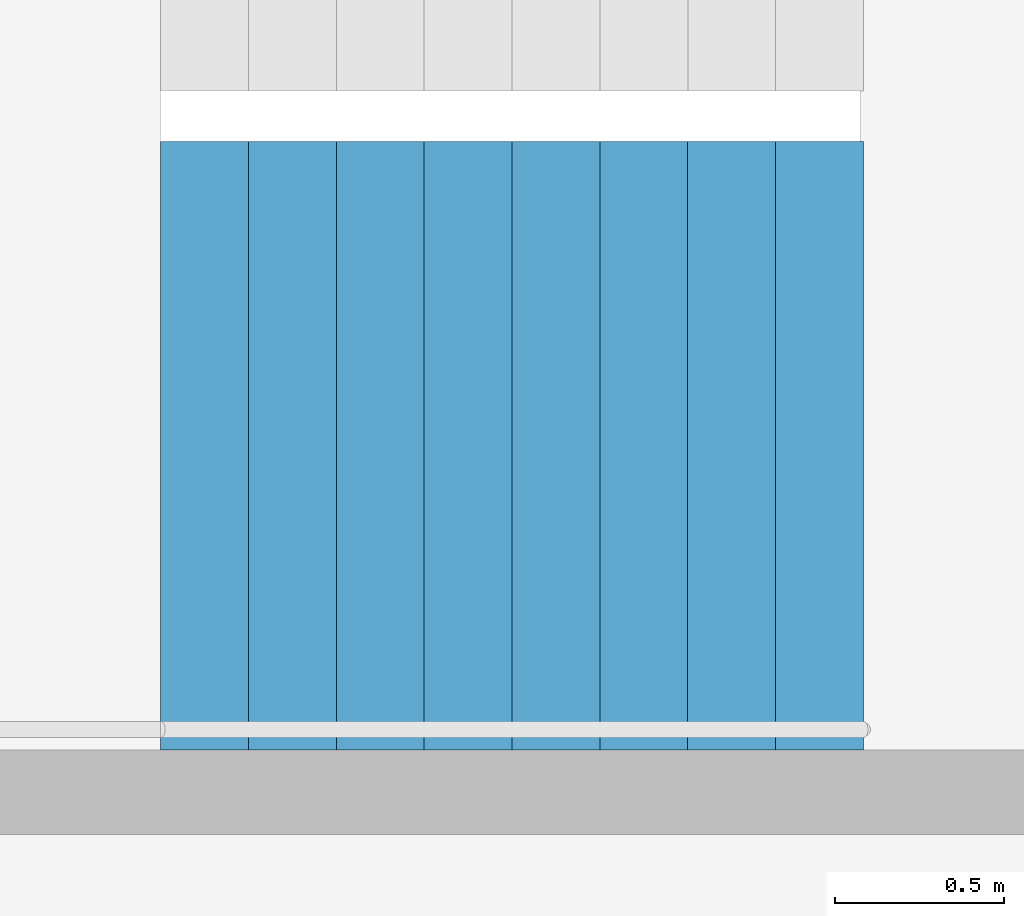
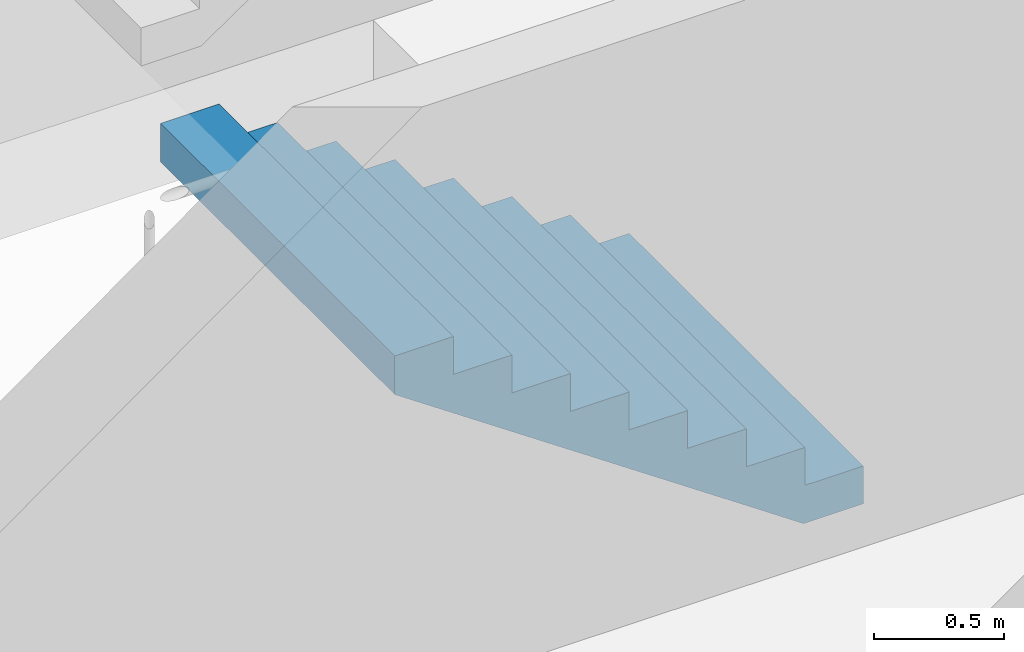
# One storey, part 24 of 26: 1 stair flight, 1 element without a shape of its own.
"""IFC4 building model written with IfcOpenShell, lengths in metres."""

import ifcopenshell
import ifcopenshell.guid

model = None  # the IFC model being written
_history = None  # IfcOwnerHistory: only IFC2X3 demands one
_inside = {}  # id of a spatial element -> (the spatial element, [elements in it])
_under = {}  # id of a project, library or spatial element -> (it, [spatial elements below it])
_declared = {}  # id of a project -> (the project, [libraries it declares])
_typed = {}  # id of a type object -> (the type object, [elements of that type])
_made_of = {}  # id of a material, layer set ... -> (it, [elements and type objects made of it])


def new_model(schema):
    """Start an empty IFC model of exactly this schema.

    Asked for "IFC4X3", IfcOpenShell would pick the latest addendum, in which some entities
    have other attributes; the version numbers below select the first issue.
    IFC2X3 requires an IfcOwnerHistory on every rooted entity: one is made here for all.
    """
    global model, _history
    if schema == "IFC4X3":
        model = ifcopenshell.file(schema_version=(4, 3, 0, 0))
    else:
        model = ifcopenshell.file(schema=schema)
    _inside.clear()
    _under.clear()
    _declared.clear()
    _typed.clear()
    _made_of.clear()
    _history = None
    if model.schema == "IFC2X3":
        org = make("IfcOrganization", Name="unknown")
        user = make(
            "IfcPersonAndOrganization",
            ThePerson=make("IfcPerson", FamilyName="unknown"),
            TheOrganization=org,
        )
        app = make(
            "IfcApplication",
            ApplicationDeveloper=org,
            Version="unknown",
            ApplicationFullName="unknown",
            ApplicationIdentifier="unknown",
        )
        _history = make(
            "IfcOwnerHistory",
            OwningUser=user,
            OwningApplication=app,
            ChangeAction="ADDED",
            CreationDate=0,
        )
    return model


def make(cls, **values):
    """One entity of the class cls with the attributes given. An attribute that is None is left unset."""
    return model.create_entity(
        cls, **{name: value for name, value in values.items() if value is not None}
    )


def rooted(cls, **values):
    """An entity with a GlobalId (a new one), such as an element, a storey or a relation."""
    return make(cls, GlobalId=ifcopenshell.guid.new(), OwnerHistory=_history, **values)


def si_unit(unit_type, name, prefix=None):
    """IfcSIUnit, for example si_unit("LENGTHUNIT", "METRE", prefix="MILLI")."""
    return make("IfcSIUnit", UnitType=unit_type, Prefix=prefix, Name=name)


def assignment(units):
    """IfcUnitAssignment: the units of a project."""
    return None if units is None else make("IfcUnitAssignment", Units=units)


def point(xyz):
    """IfcCartesianPoint."""
    return None if xyz is None else make("IfcCartesianPoint", Coordinates=xyz)


def direction(xyz):
    """IfcDirection."""
    return None if xyz is None else make("IfcDirection", DirectionRatios=xyz)


def frame(location, z_axis=None, x_axis=None):
    """IfcAxis2Placement3D, a coordinate frame: its origin and axes. An axis left out is left unset."""
    return make(
        "IfcAxis2Placement3D",
        Location=point(location),
        Axis=direction(z_axis),
        RefDirection=direction(x_axis),
    )


def origin():
    """The frame at (0, 0, 0) with its axes left unset."""
    return frame((0.0, 0.0, 0.0))


def place(relative_to, where):
    """IfcLocalPlacement: puts the frame where relative to a parent placement (None: the world)."""
    return make(
        "IfcLocalPlacement", PlacementRelTo=relative_to, RelativePlacement=where
    )


def context(
    kind, dimensions, precision=None, world=None, true_north=None, identifier=None
):
    """IfcGeometricRepresentationContext, for example the 3D "Model" context."""
    return make(
        "IfcGeometricRepresentationContext",
        ContextIdentifier=identifier,
        ContextType=kind,
        CoordinateSpaceDimension=dimensions,
        Precision=precision,
        WorldCoordinateSystem=world,
        TrueNorth=true_north,
    )


def subcontext(parent, identifier, kind, view, scale=None):
    """IfcGeometricRepresentationSubContext, for example "Body" below "Model"."""
    return make(
        "IfcGeometricRepresentationSubContext",
        ContextIdentifier=identifier,
        ContextType=kind,
        ParentContext=parent,
        TargetScale=scale,
        TargetView=view,
    )


def project(units=None, contexts=None):
    """IfcProject with its units and contexts."""
    return rooted(
        "IfcProject",
        Name="project",
        RepresentationContexts=contexts,
        UnitsInContext=assignment(units),
    )


def spatial(cls, under=None, at=None, **own):
    """A site, building, storey or space (cls), placed at a placement, below another one or the project."""
    s = rooted(cls, ObjectPlacement=at, **own)
    if under is not None:
        _under.setdefault(under.id(), (under, []))[1].append(s)
    return s


def point_list(points):
    """IfcCartesianPointList2D or 3D."""
    cls = (
        "IfcCartesianPointList2D" if len(points[0]) == 2 else "IfcCartesianPointList3D"
    )
    return make(cls, CoordList=points)


def triangles(points, corners, closed=None, point_numbers=None):
    """IfcTriangulatedFaceSet: each triangle names its three corners, points numbered from 1."""
    return make(
        "IfcTriangulatedFaceSet",
        Coordinates=point_list(points),
        Closed=closed,
        CoordIndex=corners,
        PnIndex=point_numbers,
    )


def shape(context_of_items, identifier, shape_type, items):
    """IfcShapeRepresentation: the items that make up one representation, for example the "Body"."""
    return make(
        "IfcShapeRepresentation",
        ContextOfItems=context_of_items,
        RepresentationIdentifier=identifier,
        RepresentationType=shape_type,
        Items=items,
    )


def material(Name=None, Category=None):
    """IfcMaterial."""
    return make("IfcMaterial", Name=Name, Category=Category)


def made_of(thing, what):
    """Note that an element or type object is made of a material, layer set ...; save() writes the relation."""
    if what is not None:
        _made_of.setdefault(what.id(), (what, []))[1].append(thing)
    return thing


def type_object(cls, material=None, **own):
    """A type object (cls), such as IfcWallType, which elements share."""
    return made_of(rooted(cls, **own), material)


def element(
    cls,
    number,
    at=None,
    inside=None,
    cuts=None,
    type_object=None,
    material=None,
    context=None,
    identifier="Body",
    shape_type=None,
    held_by="IfcProductDefinitionShape",
    body=None,
    shapes=None,
    **own,
):
    """One element of the class cls, such as IfcWall. Its Tag is "e" and its number.

    at: its placement. inside: the storey or other place that contains it. cuts: it is an
    opening in that element (IfcRelVoidsElement). A single representation is given by context,
    identifier, shape_type and body (its items); several are given by shapes. held_by: the class
    of the entity that holds the representations. save() writes the other relations.
    """
    e = rooted(cls, Tag="e%d" % number, ObjectPlacement=at, **own)
    if body is not None:
        shapes = [shape(context, identifier, shape_type, body)]
    if shapes is not None:
        e.Representation = make(held_by, Representations=shapes)
    if inside is not None:
        _inside.setdefault(inside.id(), (inside, []))[1].append(e)
    if cuts is not None:
        rooted(
            "IfcRelVoidsElement", RelatingBuildingElement=cuts, RelatedOpeningElement=e
        )
    if type_object is not None:
        _typed.setdefault(type_object.id(), (type_object, []))[1].append(e)
    return made_of(e, material)


def aggregate(whole, parts):
    """IfcRelAggregates: a whole, such as a stair, and the parts it consists of."""
    return rooted("IfcRelAggregates", RelatingObject=whole, RelatedObjects=parts)


def save(model, path):
    """Write the relations noted so far, then the file.

    IfcRelAggregates (storeys below a building ...), IfcRelContainedInSpatialStructure (elements
    in a storey), IfcRelDefinesByType, IfcRelAssociatesMaterial and IfcRelDeclares: one each for
    every whole, place, type object, material and project.
    """
    for whole, parts in _under.values():
        aggregate(whole, parts)
    for where, things in _inside.values():
        rooted(
            "IfcRelContainedInSpatialStructure",
            RelatedElements=things,
            RelatingStructure=where,
        )
    for kind, things in _typed.values():
        rooted("IfcRelDefinesByType", RelatedObjects=things, RelatingType=kind)
    for what, things in _made_of.values():
        rooted("IfcRelAssociatesMaterial", RelatedObjects=things, RelatingMaterial=what)
    for by, libraries in _declared.values():
        rooted("IfcRelDeclares", RelatingContext=by, RelatedDefinitions=libraries)
    model.write(path)


model = new_model("IFC4")

# Units and contexts
model_context = context("Model", 3, precision=1e-05, world=origin(), true_north=direction((0.0, 1.0)))
body_context = subcontext(model_context, "Body", "Model", "MODEL_VIEW")
ifc_project = project(units=[si_unit("LENGTHUNIT", "METRE"), si_unit("AREAUNIT", "SQUARE_METRE"), si_unit("VOLUMEUNIT", "CUBIC_METRE"), si_unit("PLANEANGLEUNIT", "RADIAN"), si_unit("MASSUNIT", "GRAM", prefix="KILO")], contexts=[model_context])

# Site, building, storey
site_placement = place(None, origin())
site = spatial("IfcSite", under=ifc_project, at=site_placement, CompositionType="ELEMENT")
building_placement = place(site_placement, origin())
building = spatial("IfcBuilding", under=site, at=building_placement, Name="Hakoniwa Tower and Hamabe Station Hall", CompositionType="ELEMENT")
storey_placement = place(building_placement, frame((0.0, 0.0, 140.60009765625)))
storey = spatial("IfcBuildingStorey", under=building, at=storey_placement, Name="L39", CompositionType="ELEMENT", Elevation=140.60009765625)

# Stair, stair flight
ifc_material_1 = material(Name="Concrete C40", Category="concrete")
stair_type = type_object("IfcStairType", Name="ESCAPE STAIR 1800", PredefinedType="HALF_TURN_STAIR", material=ifc_material_1)
stair_placement = place(storey_placement, origin())
stair = element("IfcStair", 1, at=stair_placement, inside=storey, type_object=stair_type, Name="Escape stair ST-3 L39", PredefinedType="HALF_TURN_STAIR")
ifc_material_2 = material(Name="Concrete C40", Category="concrete")
stair_flight_type = type_object("IfcStairFlightType", Name="STAIR FLIGHT 1800", PredefinedType="STRAIGHT", material=ifc_material_2)
stair_flight_placement = place(storey_placement, frame((24.39990234375, 4.64990234375, 0.0), z_axis=(0.0, 0.0, 1.0), x_axis=(-1.0, 0.0, 0.0)))
stair_flight = element("IfcStairFlight", 2, at=stair_flight_placement, type_object=stair_flight_type, Name="ST-3 flight 1", NumberOfRisers=9, NumberOfTreads=8, PredefinedType="STRAIGHT", RiserHeight=0.177777778, TreadLength=0.26, context=body_context, shape_type="Tessellation", body=[
    triangles([(0.0, 0.89990234375, 0.0), (0.260009765625, 0.89990234375, 0.0), (0.265625, 0.89990234375, 0.0), (0.52001953125, 0.89990234375, 0.174072265625), (0.780029296875, 0.89990234375, 0.351806640625), (1.0400390625, 0.89990234375, 0.529541015625), (1.300048828125, 0.89990234375, 0.707275390625), (1.56005859375, 0.89990234375, 0.885009765625), (1.820068359375, 0.89990234375, 1.062744140625), (2.080078125, 0.89990234375, 1.24072265625), (2.080078125, 0.89990234375, 1.422119140625), (1.820068359375, 0.89990234375, 1.422119140625), (1.820068359375, 0.89990234375, 1.244384765625), (1.56005859375, 0.89990234375, 1.244384765625), (1.56005859375, 0.89990234375, 1.066650390625), (1.300048828125, 0.89990234375, 1.066650390625), (1.300048828125, 0.89990234375, 0.888916015625), (1.0400390625, 0.89990234375, 0.888916015625), (1.0400390625, 0.89990234375, 0.711181640625), (0.780029296875, 0.89990234375, 0.711181640625), (0.780029296875, 0.89990234375, 0.533447265625), (0.52001953125, 0.89990234375, 0.533447265625), (0.52001953125, 0.89990234375, 0.35546875), (0.265625, 0.89990234375, 0.35546875), (0.260009765625, 0.89990234375, 0.35546875), (0.260009765625, 0.89990234375, 0.177734375), (0.0, 0.89990234375, 0.177734375), (0.0, 0.06005859375, 0.0), (0.260009765625, 0.06005859375, 0.0), (0.265625, 0.06005859375, 0.0), (0.52001953125, 0.06005859375, 0.174072265625), (0.780029296875, 0.06005859375, 0.351806640625), (1.0400390625, 0.06005859375, 0.529541015625), (1.300048828125, 0.06005859375, 0.707275390625), (1.56005859375, 0.06005859375, 0.885009765625), (1.820068359375, 0.06005859375, 1.062744140625), (2.080078125, 0.06005859375, 1.24072265625), (2.080078125, 0.06005859375, 1.422119140625), (1.820068359375, 0.06005859375, 1.422119140625), (1.820068359375, 0.06005859375, 1.244384765625), (1.56005859375, 0.06005859375, 1.244384765625), (1.56005859375, 0.06005859375, 1.066650390625), (1.300048828125, 0.06005859375, 1.066650390625), (1.300048828125, 0.06005859375, 0.888916015625), (1.0400390625, 0.06005859375, 0.888916015625), (1.0400390625, 0.06005859375, 0.711181640625), (0.780029296875, 0.06005859375, 0.711181640625), (0.780029296875, 0.06005859375, 0.533447265625), (0.52001953125, 0.06005859375, 0.533447265625), (0.52001953125, 0.06005859375, 0.35546875), (0.265625, 0.06005859375, 0.35546875), (0.260009765625, 0.06005859375, 0.35546875), (0.260009765625, 0.06005859375, 0.177734375), (0.0, 0.06005859375, 0.177734375), (0.0, 0.04296875, 0.0), (0.260009765625, 0.04296875, 0.0), (0.265625, 0.04296875, 0.0), (0.52001953125, 0.04296875, 0.174072265625), (0.780029296875, 0.04296875, 0.351806640625), (1.0400390625, 0.04296875, 0.529541015625), (1.300048828125, 0.04296875, 0.707275390625), (1.56005859375, 0.04296875, 0.885009765625), (1.820068359375, 0.04296875, 1.062744140625), (2.080078125, 0.04296875, 1.24072265625), (2.080078125, 0.04296875, 1.422119140625), (1.820068359375, 0.04296875, 1.422119140625), (1.820068359375, 0.04296875, 1.244384765625), (1.56005859375, 0.04296875, 1.244384765625), (1.56005859375, 0.04296875, 1.066650390625), (1.300048828125, 0.04296875, 1.066650390625), (1.300048828125, 0.04296875, 0.888916015625), (1.0400390625, 0.04296875, 0.888916015625), (1.0400390625, 0.04296875, 0.711181640625), (0.780029296875, 0.04296875, 0.711181640625), (0.780029296875, 0.04296875, 0.533447265625), (0.52001953125, 0.04296875, 0.533447265625), (0.52001953125, 0.04296875, 0.35546875), (0.265625, 0.04296875, 0.35546875), (0.260009765625, 0.04296875, 0.35546875), (0.260009765625, 0.04296875, 0.177734375), (0.0, 0.04296875, 0.177734375), (0.0, 0.025634765625, 0.0), (0.260009765625, 0.025634765625, 0.0), (0.265625, 0.025634765625, 0.0), (0.52001953125, 0.025634765625, 0.174072265625), (0.780029296875, 0.025634765625, 0.351806640625), (1.0400390625, 0.025634765625, 0.529541015625), (1.300048828125, 0.025634765625, 0.707275390625), (1.56005859375, 0.025634765625, 0.885009765625), (1.820068359375, 0.025634765625, 1.062744140625), (2.080078125, 0.025634765625, 1.24072265625), (2.080078125, 0.025634765625, 1.422119140625), (1.820068359375, 0.025634765625, 1.422119140625), (1.820068359375, 0.025634765625, 1.244384765625), (1.56005859375, 0.025634765625, 1.244384765625), (1.56005859375, 0.025634765625, 1.066650390625), (1.300048828125, 0.025634765625, 1.066650390625), (1.300048828125, 0.025634765625, 0.888916015625), (1.0400390625, 0.025634765625, 0.888916015625), (1.0400390625, 0.025634765625, 0.711181640625), (0.780029296875, 0.025634765625, 0.711181640625), (0.780029296875, 0.025634765625, 0.533447265625), (0.52001953125, 0.025634765625, 0.533447265625), (0.52001953125, 0.025634765625, 0.35546875), (0.265625, 0.025634765625, 0.35546875), (0.260009765625, 0.025634765625, 0.35546875), (0.260009765625, 0.025634765625, 0.177734375), (0.0, 0.025634765625, 0.177734375), (0.0, 0.008544921875, 0.0), (0.260009765625, 0.008544921875, 0.0), (0.265625, 0.008544921875, 0.0), (0.52001953125, 0.008544921875, 0.174072265625), (0.780029296875, 0.008544921875, 0.351806640625), (1.0400390625, 0.008544921875, 0.529541015625), (1.300048828125, 0.008544921875, 0.707275390625), (1.56005859375, 0.008544921875, 0.885009765625), (1.820068359375, 0.008544921875, 1.062744140625), (2.080078125, 0.008544921875, 1.24072265625), (2.080078125, 0.008544921875, 1.422119140625), (1.820068359375, 0.008544921875, 1.422119140625), (1.820068359375, 0.008544921875, 1.244384765625), (1.56005859375, 0.008544921875, 1.244384765625), (1.56005859375, 0.008544921875, 1.066650390625), (1.300048828125, 0.008544921875, 1.066650390625), (1.300048828125, 0.008544921875, 0.888916015625), (1.0400390625, 0.008544921875, 0.888916015625), (1.0400390625, 0.008544921875, 0.711181640625), (0.780029296875, 0.008544921875, 0.711181640625), (0.780029296875, 0.008544921875, 0.533447265625), (0.52001953125, 0.008544921875, 0.533447265625), (0.52001953125, 0.008544921875, 0.35546875), (0.265625, 0.008544921875, 0.35546875), (0.260009765625, 0.008544921875, 0.35546875), (0.260009765625, 0.008544921875, 0.177734375), (0.0, 0.008544921875, 0.177734375), (0.0, -0.008544921875, 0.0), (0.260009765625, -0.008544921875, 0.0), (0.265625, -0.008544921875, 0.0), (0.52001953125, -0.008544921875, 0.174072265625), (0.780029296875, -0.008544921875, 0.351806640625), (1.0400390625, -0.008544921875, 0.529541015625), (1.300048828125, -0.008544921875, 0.707275390625), (1.56005859375, -0.008544921875, 0.885009765625), (1.820068359375, -0.008544921875, 1.062744140625), (2.080078125, -0.008544921875, 1.24072265625), (2.080078125, -0.008544921875, 1.422119140625), (1.820068359375, -0.008544921875, 1.422119140625), (1.820068359375, -0.008544921875, 1.244384765625), (1.56005859375, -0.008544921875, 1.244384765625), (1.56005859375, -0.008544921875, 1.066650390625), (1.300048828125, -0.008544921875, 1.066650390625), (1.300048828125, -0.008544921875, 0.888916015625), (1.0400390625, -0.008544921875, 0.888916015625), (1.0400390625, -0.008544921875, 0.711181640625), (0.780029296875, -0.008544921875, 0.711181640625), (0.780029296875, -0.008544921875, 0.533447265625), (0.52001953125, -0.008544921875, 0.533447265625), (0.52001953125, -0.008544921875, 0.35546875), (0.265625, -0.008544921875, 0.35546875), (0.260009765625, -0.008544921875, 0.35546875), (0.260009765625, -0.008544921875, 0.177734375), (0.0, -0.008544921875, 0.177734375), (0.0, -0.025634765625, 0.0), (0.260009765625, -0.025634765625, 0.0), (0.265625, -0.025634765625, 0.0), (0.52001953125, -0.025634765625, 0.174072265625), (0.780029296875, -0.025634765625, 0.351806640625), (1.0400390625, -0.025634765625, 0.529541015625), (1.300048828125, -0.025634765625, 0.707275390625), (1.56005859375, -0.025634765625, 0.885009765625), (1.820068359375, -0.025634765625, 1.062744140625), (2.080078125, -0.025634765625, 1.24072265625), (2.080078125, -0.025634765625, 1.422119140625), (1.820068359375, -0.025634765625, 1.422119140625), (1.820068359375, -0.025634765625, 1.244384765625), (1.56005859375, -0.025634765625, 1.244384765625), (1.56005859375, -0.025634765625, 1.066650390625), (1.300048828125, -0.025634765625, 1.066650390625), (1.300048828125, -0.025634765625, 0.888916015625), (1.0400390625, -0.025634765625, 0.888916015625), (1.0400390625, -0.025634765625, 0.711181640625), (0.780029296875, -0.025634765625, 0.711181640625), (0.780029296875, -0.025634765625, 0.533447265625), (0.52001953125, -0.025634765625, 0.533447265625), (0.52001953125, -0.025634765625, 0.35546875), (0.265625, -0.025634765625, 0.35546875), (0.260009765625, -0.025634765625, 0.35546875), (0.260009765625, -0.025634765625, 0.177734375), (0.0, -0.025634765625, 0.177734375), (0.0, -0.04296875, 0.0), (0.260009765625, -0.04296875, 0.0), (0.265625, -0.04296875, 0.0), (0.52001953125, -0.04296875, 0.174072265625), (0.780029296875, -0.04296875, 0.351806640625), (1.0400390625, -0.04296875, 0.529541015625), (1.300048828125, -0.04296875, 0.707275390625), (1.56005859375, -0.04296875, 0.885009765625), (1.820068359375, -0.04296875, 1.062744140625), (2.080078125, -0.04296875, 1.24072265625), (2.080078125, -0.04296875, 1.422119140625), (1.820068359375, -0.04296875, 1.422119140625), (1.820068359375, -0.04296875, 1.244384765625), (1.56005859375, -0.04296875, 1.244384765625), (1.56005859375, -0.04296875, 1.066650390625), (1.300048828125, -0.04296875, 1.066650390625), (1.300048828125, -0.04296875, 0.888916015625), (1.0400390625, -0.04296875, 0.888916015625), (1.0400390625, -0.04296875, 0.711181640625), (0.780029296875, -0.04296875, 0.711181640625), (0.780029296875, -0.04296875, 0.533447265625), (0.52001953125, -0.04296875, 0.533447265625), (0.52001953125, -0.04296875, 0.35546875), (0.265625, -0.04296875, 0.35546875), (0.260009765625, -0.04296875, 0.35546875), (0.260009765625, -0.04296875, 0.177734375), (0.0, -0.04296875, 0.177734375), (0.0, -0.06005859375, 0.0), (0.260009765625, -0.06005859375, 0.0), (0.265625, -0.06005859375, 0.0), (0.52001953125, -0.06005859375, 0.174072265625), (0.780029296875, -0.06005859375, 0.351806640625), (1.0400390625, -0.06005859375, 0.529541015625), (1.300048828125, -0.06005859375, 0.707275390625), (1.56005859375, -0.06005859375, 0.885009765625), (1.820068359375, -0.06005859375, 1.062744140625), (2.080078125, -0.06005859375, 1.24072265625), (2.080078125, -0.06005859375, 1.422119140625), (1.820068359375, -0.06005859375, 1.422119140625), (1.820068359375, -0.06005859375, 1.244384765625), (1.56005859375, -0.06005859375, 1.244384765625), (1.56005859375, -0.06005859375, 1.066650390625), (1.300048828125, -0.06005859375, 1.066650390625), (1.300048828125, -0.06005859375, 0.888916015625), (1.0400390625, -0.06005859375, 0.888916015625), (1.0400390625, -0.06005859375, 0.711181640625), (0.780029296875, -0.06005859375, 0.711181640625), (0.780029296875, -0.06005859375, 0.533447265625), (0.52001953125, -0.06005859375, 0.533447265625), (0.52001953125, -0.06005859375, 0.35546875), (0.265625, -0.06005859375, 0.35546875), (0.260009765625, -0.06005859375, 0.35546875), (0.260009765625, -0.06005859375, 0.177734375), (0.0, -0.06005859375, 0.177734375), (0.0, -0.89990234375, 0.0), (0.260009765625, -0.89990234375, 0.0), (0.265625, -0.89990234375, 0.0), (0.52001953125, -0.89990234375, 0.174072265625), (0.780029296875, -0.89990234375, 0.351806640625), (1.0400390625, -0.89990234375, 0.529541015625), (1.300048828125, -0.89990234375, 0.707275390625), (1.56005859375, -0.89990234375, 0.885009765625), (1.820068359375, -0.89990234375, 1.062744140625), (2.080078125, -0.89990234375, 1.24072265625), (2.080078125, -0.89990234375, 1.422119140625), (1.820068359375, -0.89990234375, 1.422119140625), (1.820068359375, -0.89990234375, 1.244384765625), (1.56005859375, -0.89990234375, 1.244384765625), (1.56005859375, -0.89990234375, 1.066650390625), (1.300048828125, -0.89990234375, 1.066650390625), (1.300048828125, -0.89990234375, 0.888916015625), (1.0400390625, -0.89990234375, 0.888916015625), (1.0400390625, -0.89990234375, 0.711181640625), (0.780029296875, -0.89990234375, 0.711181640625), (0.780029296875, -0.89990234375, 0.533447265625), (0.52001953125, -0.89990234375, 0.533447265625), (0.52001953125, -0.89990234375, 0.35546875), (0.265625, -0.89990234375, 0.35546875), (0.260009765625, -0.89990234375, 0.35546875), (0.260009765625, -0.89990234375, 0.177734375), (0.0, -0.89990234375, 0.177734375)], [[2, 27, 26], [245, 269, 270], [2, 1, 27], [245, 270, 244], [3, 25, 24], [246, 267, 268], [3, 26, 25], [246, 268, 269], [3, 2, 26], [246, 269, 245], [4, 24, 23], [247, 266, 267], [4, 3, 24], [247, 267, 246], [5, 22, 21], [248, 264, 265], [5, 23, 22], [248, 265, 266], [5, 4, 23], [248, 266, 247], [6, 20, 19], [249, 262, 263], [6, 21, 20], [249, 263, 264], [6, 5, 21], [249, 264, 248], [7, 18, 17], [250, 260, 261], [7, 19, 18], [250, 261, 262], [7, 6, 19], [250, 262, 249], [8, 16, 15], [251, 258, 259], [8, 17, 16], [251, 259, 260], [8, 7, 17], [251, 260, 250], [9, 14, 13], [252, 256, 257], [9, 15, 14], [252, 257, 258], [9, 8, 15], [252, 258, 251], [10, 12, 11], [253, 254, 255], [10, 13, 12], [253, 255, 256], [10, 9, 13], [253, 256, 252], [1, 2, 29], [1, 29, 28], [28, 29, 56], [28, 56, 55], [55, 56, 83], [55, 83, 82], [82, 83, 110], [82, 110, 109], [109, 110, 137], [109, 137, 136], [136, 137, 164], [136, 164, 163], [163, 164, 191], [163, 191, 190], [190, 191, 218], [190, 218, 217], [217, 218, 245], [217, 245, 244], [2, 3, 30], [2, 30, 29], [29, 30, 57], [29, 57, 56], [56, 57, 84], [56, 84, 83], [83, 84, 111], [83, 111, 110], [110, 111, 138], [110, 138, 137], [137, 138, 165], [137, 165, 164], [164, 165, 192], [164, 192, 191], [191, 192, 219], [191, 219, 218], [218, 219, 246], [218, 246, 245], [3, 4, 31], [3, 31, 30], [30, 31, 58], [30, 58, 57], [57, 58, 85], [57, 85, 84], [84, 85, 112], [84, 112, 111], [111, 112, 139], [111, 139, 138], [138, 139, 166], [138, 166, 165], [165, 166, 193], [165, 193, 192], [192, 193, 220], [192, 220, 219], [219, 220, 247], [219, 247, 246], [4, 5, 32], [4, 32, 31], [31, 32, 59], [31, 59, 58], [58, 59, 86], [58, 86, 85], [85, 86, 113], [85, 113, 112], [112, 113, 140], [112, 140, 139], [139, 140, 167], [139, 167, 166], [166, 167, 194], [166, 194, 193], [193, 194, 221], [193, 221, 220], [220, 221, 248], [220, 248, 247], [5, 6, 33], [5, 33, 32], [32, 33, 60], [32, 60, 59], [59, 60, 87], [59, 87, 86], [86, 87, 114], [86, 114, 113], [113, 114, 141], [113, 141, 140], [140, 141, 168], [140, 168, 167], [167, 168, 195], [167, 195, 194], [194, 195, 222], [194, 222, 221], [221, 222, 249], [221, 249, 248], [6, 7, 34], [6, 34, 33], [33, 34, 61], [33, 61, 60], [60, 61, 88], [60, 88, 87], [87, 88, 115], [87, 115, 114], [114, 115, 142], [114, 142, 141], [141, 142, 169], [141, 169, 168], [168, 169, 196], [168, 196, 195], [195, 196, 223], [195, 223, 222], [222, 223, 250], [222, 250, 249], [7, 8, 35], [7, 35, 34], [34, 35, 62], [34, 62, 61], [61, 62, 89], [61, 89, 88], [88, 89, 116], [88, 116, 115], [115, 116, 143], [115, 143, 142], [142, 143, 170], [142, 170, 169], [169, 170, 197], [169, 197, 196], [196, 197, 224], [196, 224, 223], [223, 224, 251], [223, 251, 250], [8, 9, 36], [8, 36, 35], [35, 36, 63], [35, 63, 62], [62, 63, 90], [62, 90, 89], [89, 90, 117], [89, 117, 116], [116, 117, 144], [116, 144, 143], [143, 144, 171], [143, 171, 170], [170, 171, 198], [170, 198, 197], [197, 198, 225], [197, 225, 224], [224, 225, 252], [224, 252, 251], [9, 10, 37], [9, 37, 36], [36, 37, 64], [36, 64, 63], [63, 64, 91], [63, 91, 90], [90, 91, 118], [90, 118, 117], [117, 118, 145], [117, 145, 144], [144, 145, 172], [144, 172, 171], [171, 172, 199], [171, 199, 198], [198, 199, 226], [198, 226, 225], [225, 226, 253], [225, 253, 252], [10, 11, 38], [10, 38, 37], [37, 38, 65], [37, 65, 64], [64, 65, 92], [64, 92, 91], [91, 92, 119], [91, 119, 118], [118, 119, 146], [118, 146, 145], [145, 146, 173], [145, 173, 172], [172, 173, 200], [172, 200, 199], [199, 200, 227], [199, 227, 226], [226, 227, 254], [226, 254, 253], [11, 12, 39], [11, 39, 38], [38, 39, 66], [38, 66, 65], [65, 66, 93], [65, 93, 92], [92, 93, 120], [92, 120, 119], [119, 120, 147], [119, 147, 146], [146, 147, 174], [146, 174, 173], [173, 174, 201], [173, 201, 200], [200, 201, 228], [200, 228, 227], [227, 228, 255], [227, 255, 254], [12, 13, 40], [12, 40, 39], [39, 40, 67], [39, 67, 66], [66, 67, 94], [66, 94, 93], [93, 94, 121], [93, 121, 120], [120, 121, 148], [120, 148, 147], [147, 148, 175], [147, 175, 174], [174, 175, 202], [174, 202, 201], [201, 202, 229], [201, 229, 228], [228, 229, 256], [228, 256, 255], [13, 14, 41], [13, 41, 40], [40, 41, 68], [40, 68, 67], [67, 68, 95], [67, 95, 94], [94, 95, 122], [94, 122, 121], [121, 122, 149], [121, 149, 148], [148, 149, 176], [148, 176, 175], [175, 176, 203], [175, 203, 202], [202, 203, 230], [202, 230, 229], [229, 230, 257], [229, 257, 256], [14, 15, 42], [14, 42, 41], [41, 42, 69], [41, 69, 68], [68, 69, 96], [68, 96, 95], [95, 96, 123], [95, 123, 122], [122, 123, 150], [122, 150, 149], [149, 150, 177], [149, 177, 176], [176, 177, 204], [176, 204, 203], [203, 204, 231], [203, 231, 230], [230, 231, 258], [230, 258, 257], [15, 16, 43], [15, 43, 42], [42, 43, 70], [42, 70, 69], [69, 70, 97], [69, 97, 96], [96, 97, 124], [96, 124, 123], [123, 124, 151], [123, 151, 150], [150, 151, 178], [150, 178, 177], [177, 178, 205], [177, 205, 204], [204, 205, 232], [204, 232, 231], [231, 232, 259], [231, 259, 258], [16, 17, 44], [16, 44, 43], [43, 44, 71], [43, 71, 70], [70, 71, 98], [70, 98, 97], [97, 98, 125], [97, 125, 124], [124, 125, 152], [124, 152, 151], [151, 152, 179], [151, 179, 178], [178, 179, 206], [178, 206, 205], [205, 206, 233], [205, 233, 232], [232, 233, 260], [232, 260, 259], [17, 18, 45], [17, 45, 44], [44, 45, 72], [44, 72, 71], [71, 72, 99], [71, 99, 98], [98, 99, 126], [98, 126, 125], [125, 126, 153], [125, 153, 152], [152, 153, 180], [152, 180, 179], [179, 180, 207], [179, 207, 206], [206, 207, 234], [206, 234, 233], [233, 234, 261], [233, 261, 260], [18, 19, 46], [18, 46, 45], [45, 46, 73], [45, 73, 72], [72, 73, 100], [72, 100, 99], [99, 100, 127], [99, 127, 126], [126, 127, 154], [126, 154, 153], [153, 154, 181], [153, 181, 180], [180, 181, 208], [180, 208, 207], [207, 208, 235], [207, 235, 234], [234, 235, 262], [234, 262, 261], [19, 20, 47], [19, 47, 46], [46, 47, 74], [46, 74, 73], [73, 74, 101], [73, 101, 100], [100, 101, 128], [100, 128, 127], [127, 128, 155], [127, 155, 154], [154, 155, 182], [154, 182, 181], [181, 182, 209], [181, 209, 208], [208, 209, 236], [208, 236, 235], [235, 236, 263], [235, 263, 262], [20, 21, 48], [20, 48, 47], [47, 48, 75], [47, 75, 74], [74, 75, 102], [74, 102, 101], [101, 102, 129], [101, 129, 128], [128, 129, 156], [128, 156, 155], [155, 156, 183], [155, 183, 182], [182, 183, 210], [182, 210, 209], [209, 210, 237], [209, 237, 236], [236, 237, 264], [236, 264, 263], [21, 22, 49], [21, 49, 48], [48, 49, 76], [48, 76, 75], [75, 76, 103], [75, 103, 102], [102, 103, 130], [102, 130, 129], [129, 130, 157], [129, 157, 156], [156, 157, 184], [156, 184, 183], [183, 184, 211], [183, 211, 210], [210, 211, 238], [210, 238, 237], [237, 238, 265], [237, 265, 264], [22, 23, 50], [22, 50, 49], [49, 50, 77], [49, 77, 76], [76, 77, 104], [76, 104, 103], [103, 104, 131], [103, 131, 130], [130, 131, 158], [130, 158, 157], [157, 158, 185], [157, 185, 184], [184, 185, 212], [184, 212, 211], [211, 212, 239], [211, 239, 238], [238, 239, 266], [238, 266, 265], [23, 24, 51], [23, 51, 50], [50, 51, 78], [50, 78, 77], [77, 78, 105], [77, 105, 104], [104, 105, 132], [104, 132, 131], [131, 132, 159], [131, 159, 158], [158, 159, 186], [158, 186, 185], [185, 186, 213], [185, 213, 212], [212, 213, 240], [212, 240, 239], [239, 240, 267], [239, 267, 266], [24, 25, 52], [24, 52, 51], [51, 52, 79], [51, 79, 78], [78, 79, 106], [78, 106, 105], [105, 106, 133], [105, 133, 132], [132, 133, 160], [132, 160, 159], [159, 160, 187], [159, 187, 186], [186, 187, 214], [186, 214, 213], [213, 214, 241], [213, 241, 240], [240, 241, 268], [240, 268, 267], [25, 26, 53], [25, 53, 52], [52, 53, 80], [52, 80, 79], [79, 80, 107], [79, 107, 106], [106, 107, 134], [106, 134, 133], [133, 134, 161], [133, 161, 160], [160, 161, 188], [160, 188, 187], [187, 188, 215], [187, 215, 214], [214, 215, 242], [214, 242, 241], [241, 242, 269], [241, 269, 268], [26, 27, 54], [26, 54, 53], [53, 54, 81], [53, 81, 80], [80, 81, 108], [80, 108, 107], [107, 108, 135], [107, 135, 134], [134, 135, 162], [134, 162, 161], [161, 162, 189], [161, 189, 188], [188, 189, 216], [188, 216, 215], [215, 216, 243], [215, 243, 242], [242, 243, 270], [242, 270, 269], [27, 1, 28], [27, 28, 54], [54, 28, 55], [54, 55, 81], [81, 55, 82], [81, 82, 108], [108, 82, 109], [108, 109, 135], [135, 109, 136], [135, 136, 162], [162, 136, 163], [162, 163, 189], [189, 163, 190], [189, 190, 216], [216, 190, 217], [216, 217, 243], [243, 217, 244], [243, 244, 270]], closed=True),
])
aggregate(stair, [stair_flight])

save(model, "model.ifc")
